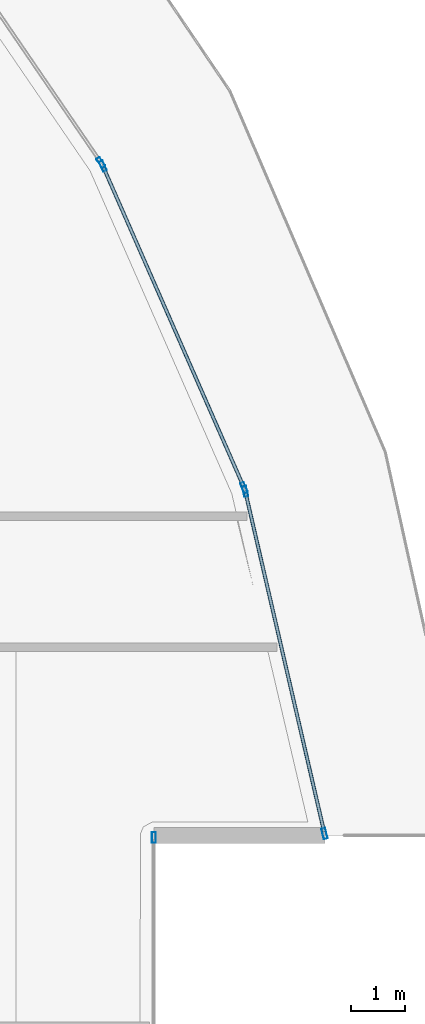
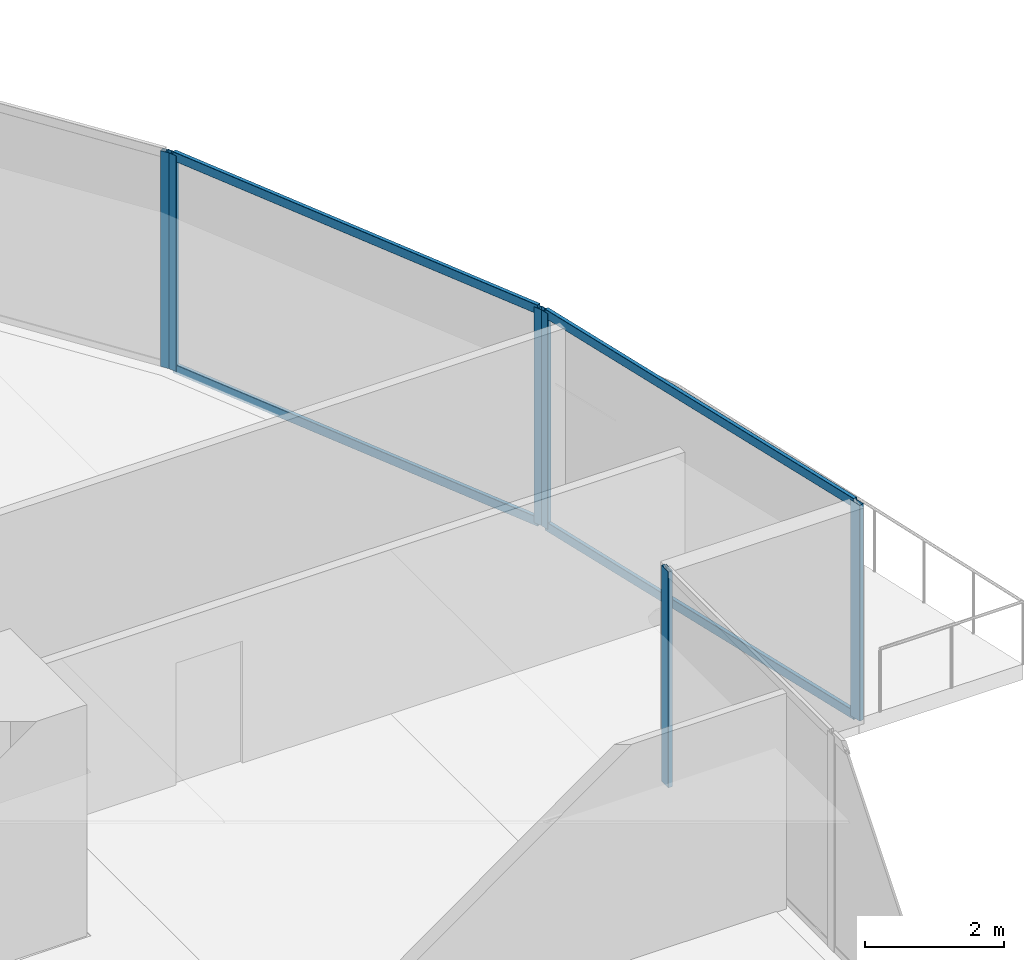
# One storey, part 20 of 39: 10 members, 4 elements without a shape of their own.
"""IFC4 building model written with IfcOpenShell, lengths in metres."""

from ifc_helpers import new_model, si_unit, direction, frame, origin, origin_2d, place, context, subcontext, project, spatial, hollow_rectangle, extrude, material, layer, layer_set, material_profile, profile_set, type_object, element, aggregate, save


model = new_model("IFC4")

# Units and contexts
model_context = context("Model", 3, precision=1e-05, world=origin(), true_north=direction((0.0, 1.0)))
body_context = subcontext(model_context, "Body", "Model", "MODEL_VIEW")
ifc_project = project(units=[si_unit("LENGTHUNIT", "METRE"), si_unit("AREAUNIT", "SQUARE_METRE"), si_unit("VOLUMEUNIT", "CUBIC_METRE"), si_unit("PLANEANGLEUNIT", "RADIAN"), si_unit("MASSUNIT", "GRAM", prefix="KILO")], contexts=[model_context])

# Site, building, storey
site_placement = place(None, origin())
site = spatial("IfcSite", under=ifc_project, at=site_placement, CompositionType="ELEMENT")
building_placement = place(site_placement, origin())
building = spatial("IfcBuilding", under=site, at=building_placement, Name="Qorvath Tower", CompositionType="ELEMENT")
storey_placement = place(building_placement, frame((0.0, 0.0, 154.35009765625)))
storey = spatial("IfcBuildingStorey", under=building, at=storey_placement, Name="L35", CompositionType="ELEMENT", Elevation=154.35009765625)

# Curtain wall, member
ifc_material_1 = material(Name="Anodised aluminium and triple low-E glass", Category="aluminium")
ifc_layer = layer(ifc_material_1, 0.179931640625)
ifc_layer_set = layer_set([ifc_layer], Name="CW-SYS-5")
curtain_wall_type = type_object("IfcCurtainWallType", Name="CW-SYS-5", PredefinedType="NOTDEFINED", material=ifc_layer_set)
curtain_wall_1_placement = place(storey_placement, origin())
curtain_wall_1 = element("IfcCurtainWall", 1, at=curtain_wall_1_placement, inside=storey, type_object=curtain_wall_type, Name="Curtain Wall CW-5 CW-T-L35-9.1", PredefinedType="NOTDEFINED")
ifc_material_2 = material(Name="Anodised aluminium 6063-T6", Category="aluminium")
ifc_material_profile_1 = material_profile(ifc_material_2, hollow_rectangle(XDim=0.074951171875, YDim=0.199951171875, WallThickness=0.00390625, InnerFilletRadius=0.00390625, OuterFilletRadius=0.008056640625, at=origin_2d()), Name="CWM 200x75")
ifc_profile_set_1 = profile_set([ifc_material_profile_1], Name="Anodised aluminium 6063-T6")
member_type_1 = type_object("IfcMemberType", Name="CWM-200", PredefinedType="MULLION", material=ifc_profile_set_1)
member_1_placement = place(storey_placement, frame((0.33984375, 4.7578125, 0.0), z_axis=(0.0, 0.0, 1.0), x_axis=(-1.0, 0.0, 0.0)))
member_1 = element("IfcMember", 2, at=member_1_placement, type_object=member_type_1, Name="CW-5 mullion 3", PredefinedType="MULLION", context=body_context, shape_type="SweptSolid", body=[
    extrude(hollow_rectangle(XDim=0.074951171875, YDim=0.199951171875, WallThickness=0.00390625, InnerFilletRadius=0.00390625, OuterFilletRadius=0.008056640625, at=origin_2d()), origin(), (0.0, 0.0, 1.0), 3.77978515625),
])
aggregate(curtain_wall_1, [member_1])

# Curtain wall, members
curtain_wall_2_placement = place(storey_placement, origin())
curtain_wall_2 = element("IfcCurtainWall", 3, at=curtain_wall_2_placement, inside=storey, type_object=curtain_wall_type, Name="Curtain Wall CW-5 CW-T-L35-11.1", PredefinedType="NOTDEFINED")
member_2_placement = place(storey_placement, frame((3.528076171875, 4.831787109375, 0.0), z_axis=(0.0, 0.0, 1.0), x_axis=(-0.974212877703, -0.225630824395, 0.0)))
member_2 = element("IfcMember", 4, at=member_2_placement, type_object=member_type_1, Name="CW-5 mullion 1", PredefinedType="MULLION", context=body_context, shape_type="SweptSolid", body=[
    extrude(hollow_rectangle(XDim=0.074951171875, YDim=0.199951171875, WallThickness=0.00390625, InnerFilletRadius=0.00390625, OuterFilletRadius=0.008056640625, at=origin_2d()), origin(), (0.0, 0.0, 1.0), 3.77978515625),
])
member_3_placement = place(storey_placement, frame((2.047607421875, 11.224365234375, 0.0), z_axis=(0.0, 0.0, 1.0), x_axis=(-0.974212877703, -0.225630824395, 0.0)))
member_3 = element("IfcMember", 5, at=member_3_placement, type_object=member_type_1, Name="CW-5 mullion 2", PredefinedType="MULLION", context=body_context, shape_type="SweptSolid", body=[
    extrude(hollow_rectangle(XDim=0.074951171875, YDim=0.199951171875, WallThickness=0.00390625, InnerFilletRadius=0.00390625, OuterFilletRadius=0.008056640625, at=origin_2d()), origin(), (0.0, 0.0, 1.0), 3.77978515625),
])

curtain_wall_3_placement = place(storey_placement, origin())
curtain_wall_3 = element("IfcCurtainWall", 6, at=curtain_wall_3_placement, inside=storey, type_object=curtain_wall_type, Name="Curtain Wall CW-5 CW-T-L35-12.1", PredefinedType="NOTDEFINED")
member_4_placement = place(storey_placement, frame((2.02392578125, 11.29541015625, 0.0), z_axis=(0.0, 0.0, 1.0), x_axis=(-0.91568257839, -0.401902246365, 0.0)))
member_4 = element("IfcMember", 7, at=member_4_placement, type_object=member_type_1, Name="CW-5 mullion 1", PredefinedType="MULLION", context=body_context, shape_type="SweptSolid", body=[
    extrude(hollow_rectangle(XDim=0.074951171875, YDim=0.199951171875, WallThickness=0.00390625, InnerFilletRadius=0.00390625, OuterFilletRadius=0.008056640625, at=origin_2d()), origin(), (0.0, 0.0, 1.0), 3.77978515625),
])
member_5_placement = place(storey_placement, frame((-0.613037109375, 17.3037109375, 0.0), z_axis=(0.0, 0.0, 1.0), x_axis=(-0.91568257839, -0.401902246365, 0.0)))
member_5 = element("IfcMember", 8, at=member_5_placement, type_object=member_type_1, Name="CW-5 mullion 2", PredefinedType="MULLION", context=body_context, shape_type="SweptSolid", body=[
    extrude(hollow_rectangle(XDim=0.074951171875, YDim=0.199951171875, WallThickness=0.00390625, InnerFilletRadius=0.00390625, OuterFilletRadius=0.008056640625, at=origin_2d()), origin(), (0.0, 0.0, 1.0), 3.77978515625),
])

# Curtain wall, member
curtain_wall_4_placement = place(storey_placement, origin())
curtain_wall_4 = element("IfcCurtainWall", 9, at=curtain_wall_4_placement, inside=storey, type_object=curtain_wall_type, Name="Curtain Wall CW-5 CW-T-L35-13.1", PredefinedType="NOTDEFINED")
member_6_placement = place(storey_placement, frame((-0.6494140625, 17.369140625, 0.0), z_axis=(0.0, 0.0, 1.0), x_axis=(-0.825580649528, -0.564284140416, 0.0)))
member_6 = element("IfcMember", 10, at=member_6_placement, type_object=member_type_1, Name="CW-5 mullion 1", PredefinedType="MULLION", context=body_context, shape_type="SweptSolid", body=[
    extrude(hollow_rectangle(XDim=0.074951171875, YDim=0.199951171875, WallThickness=0.00390625, InnerFilletRadius=0.00390625, OuterFilletRadius=0.008056640625, at=origin_2d()), origin(), (0.0, 0.0, 1.0), 3.77978515625),
])
aggregate(curtain_wall_4, [member_6])

# Member
ifc_material_3 = material(Name="Anodised aluminium 6063-T6", Category="aluminium")
ifc_material_profile_2 = material_profile(ifc_material_3, hollow_rectangle(XDim=0.06494140625, YDim=0.159912109375, WallThickness=0.00341796875, InnerFilletRadius=0.00341796875, OuterFilletRadius=0.007080078125, at=origin_2d()), Name="CWT 160x65")
ifc_profile_set_2 = profile_set([ifc_material_profile_2], Name="Anodised aluminium 6063-T6")
member_type_2 = type_object("IfcMemberType", Name="CWT-160", PredefinedType="USERDEFINED", material=ifc_profile_set_2)
member_7_placement = place(storey_placement, frame((3.519775390625, 4.8681640625, 0.032470703125), z_axis=(-0.225656521927, 0.974206925715, 0.0), x_axis=(-0.974206925715, -0.225656521927, 0.0)))
member_7 = element("IfcMember", 11, at=member_7_placement, type_object=member_type_2, Name="CW-5 transom 1.1", ObjectType="TRANSOM", PredefinedType="USERDEFINED", context=body_context, shape_type="SweptSolid", body=[
    extrude(hollow_rectangle(XDim=0.06494140625, YDim=0.159912109375, WallThickness=0.00341796875, InnerFilletRadius=0.00341796875, OuterFilletRadius=0.007080078125, at=origin_2d()), origin(), (0.0, 0.0, 1.0), 6.487060546875),
])

member_8_placement = place(storey_placement, frame((3.519775390625, 4.8681640625, 3.747314453125), z_axis=(-0.225656521927, 0.974206925715, 0.0), x_axis=(-0.974206925715, -0.225656521927, 0.0)))
member_8 = element("IfcMember", 12, at=member_8_placement, type_object=member_type_2, Name="CW-5 transom 1.2", ObjectType="TRANSOM", PredefinedType="USERDEFINED", context=body_context, shape_type="SweptSolid", body=[
    extrude(hollow_rectangle(XDim=0.06494140625, YDim=0.159912109375, WallThickness=0.00341796875, InnerFilletRadius=0.00341796875, OuterFilletRadius=0.007080078125, at=origin_2d()), origin(), (0.0, 0.0, 1.0), 6.487060546875),
])

aggregate(curtain_wall_2, [member_2, member_3, member_7, member_8])

member_9_placement = place(storey_placement, frame((2.009033203125, 11.32958984375, 0.032470703125), z_axis=(-0.401912330062, 0.915678152488, 0.0), x_axis=(-0.915678152488, -0.401912330062, 0.0)))
member_9 = element("IfcMember", 13, at=member_9_placement, type_object=member_type_2, Name="CW-5 transom 1.1", ObjectType="TRANSOM", PredefinedType="USERDEFINED", context=body_context, shape_type="SweptSolid", body=[
    extrude(hollow_rectangle(XDim=0.06494140625, YDim=0.159912109375, WallThickness=0.00341796875, InnerFilletRadius=0.00341796875, OuterFilletRadius=0.007080078125, at=origin_2d()), origin(), (0.0, 0.0, 1.0), 6.48681640625),
])

member_10_placement = place(storey_placement, frame((2.009033203125, 11.32958984375, 3.747314453125), z_axis=(-0.401912330062, 0.915678152488, 0.0), x_axis=(-0.915678152488, -0.401912330062, 0.0)))
member_10 = element("IfcMember", 14, at=member_10_placement, type_object=member_type_2, Name="CW-5 transom 1.2", ObjectType="TRANSOM", PredefinedType="USERDEFINED", context=body_context, shape_type="SweptSolid", body=[
    extrude(hollow_rectangle(XDim=0.06494140625, YDim=0.159912109375, WallThickness=0.00341796875, InnerFilletRadius=0.00341796875, OuterFilletRadius=0.007080078125, at=origin_2d()), origin(), (0.0, 0.0, 1.0), 6.48681640625),
])

aggregate(curtain_wall_3, [member_4, member_5, member_9, member_10])

save(model, "model.ifc")
